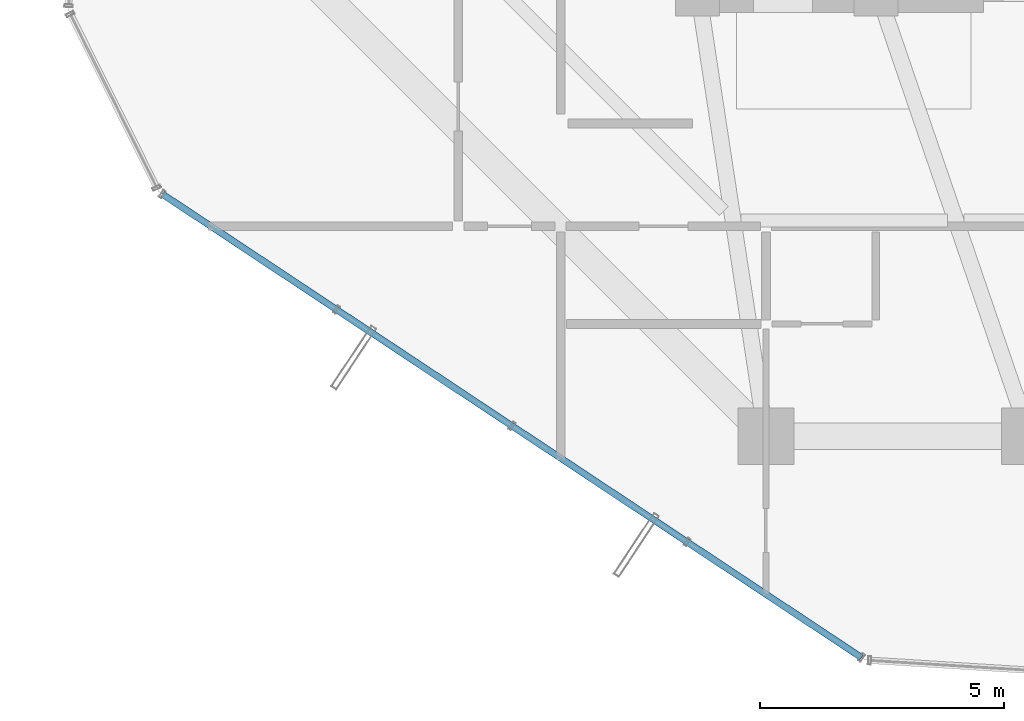
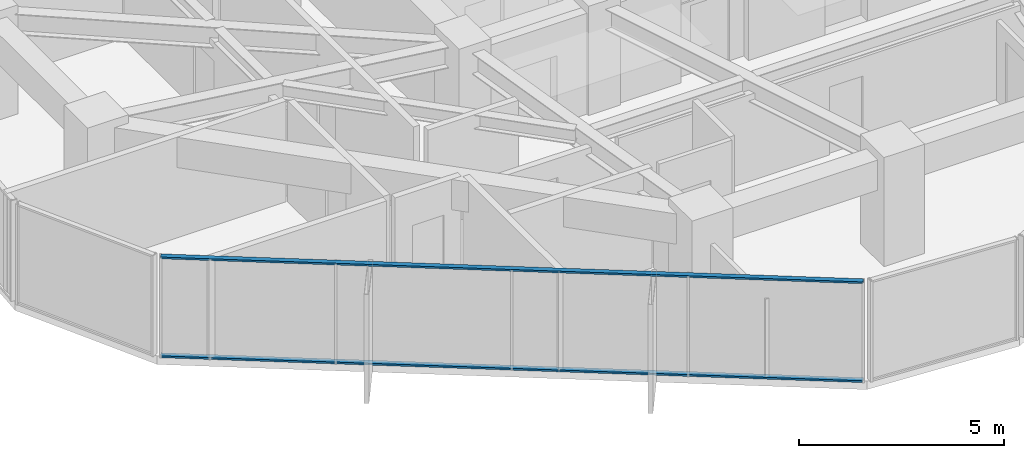
# One storey, part 3 of 30: 2 members, 1 element without a shape of its own.
"""IFC4 building model written with IfcOpenShell, lengths in metres."""

from ifc_helpers import new_model, si_unit, direction, frame, origin, origin_2d, place, context, subcontext, project, spatial, hollow_rectangle, extrude, source, transform, mapped, material, layer, layer_set, material_profile, profile_set, type_object, element, aggregate, save


model = new_model("IFC4")

# Units and contexts
model_context = context("Model", 3, precision=1e-05, world=origin(), true_north=direction((0.0, 1.0)))
body_context = subcontext(model_context, "Body", "Model", "MODEL_VIEW")
ifc_project = project(units=[si_unit("LENGTHUNIT", "METRE"), si_unit("AREAUNIT", "SQUARE_METRE"), si_unit("VOLUMEUNIT", "CUBIC_METRE"), si_unit("PLANEANGLEUNIT", "RADIAN"), si_unit("MASSUNIT", "GRAM", prefix="KILO")], contexts=[model_context])

# Site, building, storey
site_placement = place(None, origin())
site = spatial("IfcSite", under=ifc_project, at=site_placement, CompositionType="ELEMENT")
building_placement = place(site_placement, origin())
building = spatial("IfcBuilding", under=site, at=building_placement, Name="Veraguas Prism Commons", CompositionType="ELEMENT")
storey_placement = place(building_placement, frame((0.0, 0.0, 116.5)))
storey = spatial("IfcBuildingStorey", under=building, at=storey_placement, Name="L32", CompositionType="ELEMENT", Elevation=116.5)

# Curtain wall, members
ifc_material = material(Name="Anodised aluminium EN AW-6063 T6", Category="aluminium")
ifc_layer = layer(ifc_material, 0.169921875, Name="Unitised Flush Curtain Wall Zone 2", Category="aluminium")
ifc_layer_set = layer_set([ifc_layer], Name="Anodised aluminium EN AW-6063 T6")
curtain_wall_type = type_object("IfcCurtainWallType", Name="Unitised Flush Curtain Wall Zone 2", PredefinedType="NOTDEFINED", material=ifc_layer_set)
curtain_wall_placement = place(storey_placement, origin())
curtain_wall = element("IfcCurtainWall", 1, at=curtain_wall_placement, inside=storey, type_object=curtain_wall_type, Name="Tower Facade Curtain Wall L32-F4", PredefinedType="NOTDEFINED")
ifc_material_profile = material_profile(ifc_material, hollow_rectangle(XDim=0.054931640625, YDim=0.135009765625, WallThickness=0.0029296875, at=origin_2d()), Name="AL55X135X3")
ifc_profile_set = profile_set([ifc_material_profile], Name="Anodised aluminium EN AW-6063 T6")
member_type = type_object("IfcMemberType", Name="Curtain Wall Transom Standard AL 55x135x3", PredefinedType="USERDEFINED", material=ifc_profile_set)
shared_shape = source(origin(), body_context, "Body", "SweptSolid", [
    extrude(hollow_rectangle(XDim=0.054931640625, YDim=0.135009765625, WallThickness=0.0029296875, at=origin_2d()), origin(), (0.0, 0.0, 1.0), 17.17431640625),
])
member_1_placement = place(storey_placement, frame((6.243896484375, 12.755859375, 0.027587890625), z_axis=(0.833506136681, -0.552510199106, 0.0), x_axis=(0.0, 0.0, 1.0)))
member_1 = element("IfcMember", 2, at=member_1_placement, type_object=member_type, Name="CW-Z2 Transom 1", ObjectType="TRANSOM", PredefinedType="USERDEFINED", context=body_context, shape_type="MappedRepresentation", body=[
    mapped(shared_shape, transform((0.0, 0.0, 0.0), scale=1.0)),
])
member_2_placement = place(storey_placement, frame((6.243896484375, 12.755859375, 2.972412109375), z_axis=(0.833506136681, -0.552510199106, 0.0), x_axis=(0.0, 0.0, 1.0)))
member_2 = element("IfcMember", 3, at=member_2_placement, type_object=member_type, Name="CW-Z2 Transom 2", ObjectType="TRANSOM", PredefinedType="USERDEFINED", context=body_context, shape_type="MappedRepresentation", body=[
    mapped(shared_shape, transform((0.0, 0.0, 0.0), scale=1.0)),
])
aggregate(curtain_wall, [member_1, member_2])

save(model, "model.ifc")
